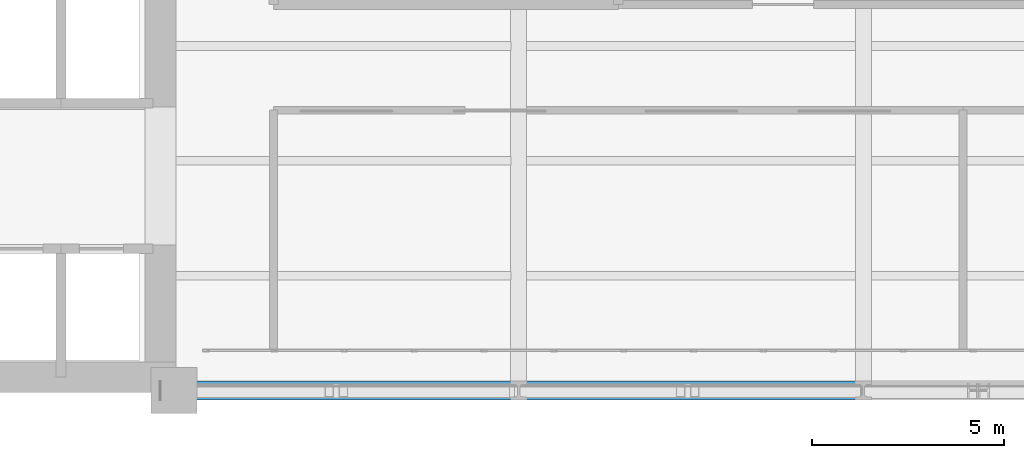
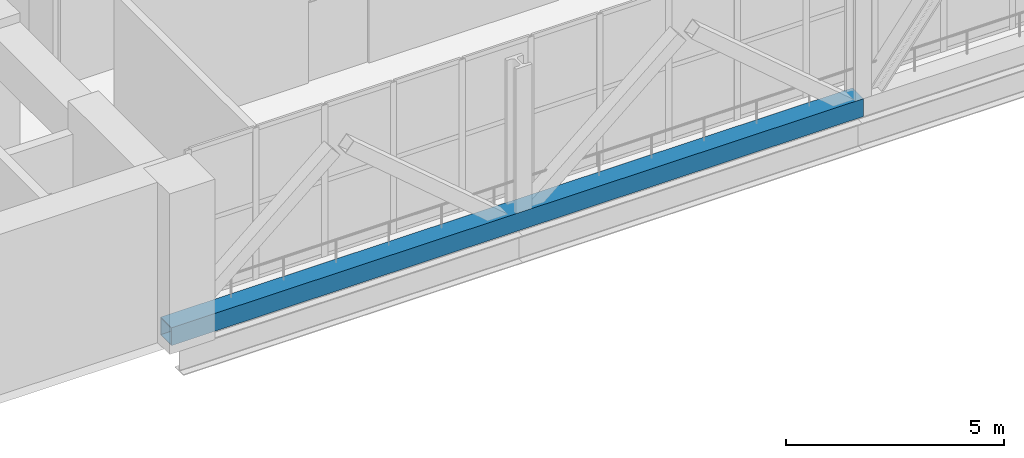
# One storey, part 3 of 27: 1 member.
"""IFC4 building model written with IfcOpenShell, lengths in metres."""

from ifc_helpers import new_model, si_unit, direction, frame, origin, origin_2d, place, context, subcontext, project, spatial, hollow_rectangle, extrude, material, material_profile, profile_set, type_object, element, save


model = new_model("IFC4")

# Units and contexts
model_context = context("Model", 3, precision=1e-05, world=origin(), true_north=direction((0.0, 1.0)))
body_context = subcontext(model_context, "Body", "Model", "MODEL_VIEW")
ifc_project = project(units=[si_unit("LENGTHUNIT", "METRE"), si_unit("AREAUNIT", "SQUARE_METRE"), si_unit("VOLUMEUNIT", "CUBIC_METRE"), si_unit("PLANEANGLEUNIT", "RADIAN"), si_unit("MASSUNIT", "GRAM", prefix="KILO")], contexts=[model_context])

# Site, building, storey
site_placement = place(None, origin())
site = spatial("IfcSite", under=ifc_project, at=site_placement, CompositionType="ELEMENT")
building_placement = place(site_placement, origin())
building = spatial("IfcBuilding", under=site, at=building_placement, Name="Mawjdan Bourse Tower", CompositionType="ELEMENT")
storey_placement = place(building_placement, frame((0.0, 0.0, 84.60009765625)))
storey = spatial("IfcBuildingStorey", under=building, at=storey_placement, Name="L19", CompositionType="ELEMENT", Elevation=84.60009765625)

# Member
ifc_material = material(Name="Structural Steel S460", Category="steel")
ifc_material_profile = material_profile(ifc_material, hollow_rectangle(XDim=0.5, YDim=0.5, WallThickness=0.02001953125, at=origin_2d()), Name="HSS500X500X20")
ifc_profile_set = profile_set([ifc_material_profile], Name="Structural Steel S460")
member_type = type_object("IfcMemberType", Name="CHD-HSS500X500X20", PredefinedType="CHORD", material=ifc_profile_set)
member_placement = place(storey_placement, frame((23.64990234375, 3.0, 0.199951171875), z_axis=(1.0, 0.0, 0.0), x_axis=(0.0, 1.0, 0.0)))
element("IfcMember", 1, at=member_placement, inside=storey, type_object=member_type, Name="L19 East Outrigger Truss 1 Bottom Chord", PredefinedType="CHORD", context=body_context, shape_type="SweptSolid", body=[
    extrude(hollow_rectangle(XDim=0.5, YDim=0.5, WallThickness=0.02001953125, at=origin_2d()), origin(), (0.0, 0.0, 1.0), 18.35009765625),
])

save(model, "model.ifc")
